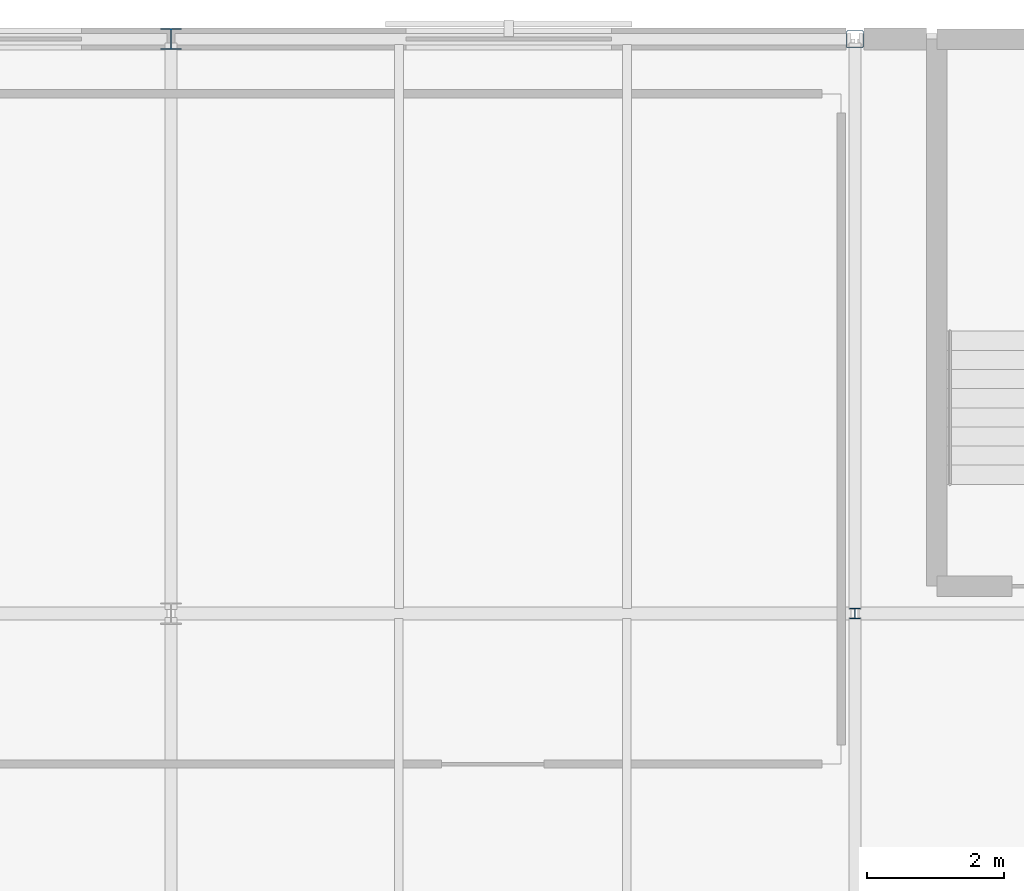
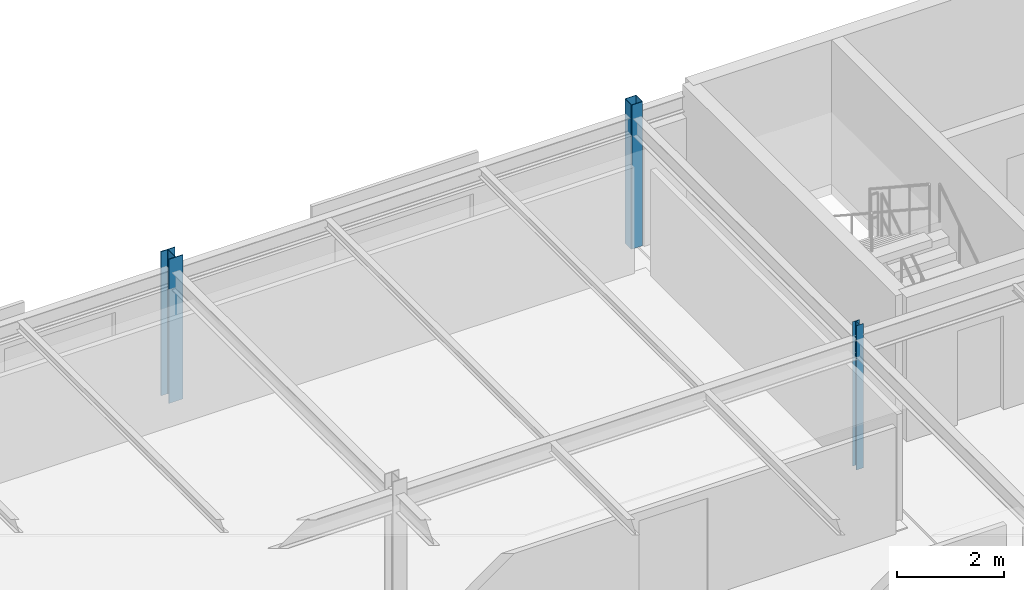
# One storey, part 4 of 23: 3 columns.
"""IFC4 building model written with IfcOpenShell, lengths in metres."""

from ifc_helpers import new_model, si_unit, derived_unit, direction, frame, origin, origin_2d_with_axis, place, context, subcontext, project, spatial, hollow_rectangle, i_section, extrude, material, material_profile, profile_set, type_object, element, save


model = new_model("IFC4")

# Units and contexts
model_context = context("Model", 3, precision=1e-05, world=origin(), true_north=direction((0.0, 1.0)))
body_context = subcontext(model_context, "Body", "Model", "MODEL_VIEW")
ifc_project = project(units=[si_unit("LENGTHUNIT", "METRE"), si_unit("AREAUNIT", "SQUARE_METRE"), si_unit("VOLUMEUNIT", "CUBIC_METRE"), si_unit("PLANEANGLEUNIT", "RADIAN"), si_unit("MASSUNIT", "GRAM", prefix="KILO"), derived_unit("THERMALTRANSMITTANCEUNIT", [(si_unit("POWERUNIT", "WATT"), 1), (si_unit("LENGTHUNIT", "METRE"), -2), (si_unit("THERMODYNAMICTEMPERATUREUNIT", "KELVIN"), -1)])], contexts=[model_context])

# Site, building, storey
site_placement = place(None, origin())
site = spatial("IfcSite", under=ifc_project, at=site_placement, CompositionType="ELEMENT")
building_placement = place(site_placement, origin())
building = spatial("IfcBuilding", under=site, at=building_placement, Name="Cinnabar Yard Market Hall", CompositionType="ELEMENT")
storey_placement = place(building_placement, frame((0.0, 0.0, 12.0)))
storey = spatial("IfcBuildingStorey", under=building, at=storey_placement, Name="L03", CompositionType="ELEMENT", Elevation=12.0)

# Columns
ifc_material_1 = material(Name="Steel Grade 300 (300 MPa)", Category="steel")
ifc_material_profile_1 = material_profile(ifc_material_1, i_section(OverallWidth=0.304931640625, OverallDepth=0.30810546875, WebThickness=0.010009765625, FlangeThickness=0.015380859375, FilletRadius=0.0166015625, at=origin_2d_with_axis()), Name="310UC96.8")
ifc_profile_set_1 = profile_set([ifc_material_profile_1], Name="Steel Grade 300 (300 MPa)")
column_type_1 = type_object("IfcColumnType", Name="COL-C09E", PredefinedType="COLUMN", material=ifc_profile_set_1)
column_1_placement = place(storey_placement, frame((86.0, 138.0, 0.0), z_axis=(0.0, 0.0, 1.0), x_axis=(1.0, 0.0, 0.0)))
element("IfcColumn", 1, at=column_1_placement, inside=storey, type_object=column_type_1, Name="Wing Column V3-03-05 L03", PredefinedType="COLUMN", context=body_context, shape_type="SweptSolid", body=[
    extrude(i_section(OverallWidth=0.304931640625, OverallDepth=0.30810546875, WebThickness=0.010009765625, FlangeThickness=0.015380859375, FilletRadius=0.0166015625, at=origin_2d_with_axis()), origin(), (0.0, 0.0, 1.0), 3.300048828125),
])
ifc_material_profile_2 = material_profile(ifc_material_1, i_section(OverallWidth=0.152099609375, OverallDepth=0.15234375, WebThickness=0.005859375, FlangeThickness=0.0068359375, FilletRadius=0.0087890625, at=origin_2d_with_axis()), Name="150UC23.4")
ifc_profile_set_2 = profile_set([ifc_material_profile_2], Name="Steel Grade 300 (300 MPa)")
column_type_2 = type_object("IfcColumnType", Name="COL-C19", PredefinedType="COLUMN", material=ifc_profile_set_2)
column_2_placement = place(storey_placement, frame((96.0, 129.60009765625, 0.0), z_axis=(0.0, 0.0, 1.0), x_axis=(1.0, 0.0, 0.0)))
element("IfcColumn", 2, at=column_2_placement, inside=storey, type_object=column_type_2, Name="Wing Column V3-04-04 L03", PredefinedType="COLUMN", context=body_context, shape_type="SweptSolid", body=[
    extrude(i_section(OverallWidth=0.152099609375, OverallDepth=0.15234375, WebThickness=0.005859375, FlangeThickness=0.0068359375, FilletRadius=0.0087890625, at=origin_2d_with_axis()), origin(), (0.0, 0.0, 1.0), 3.300048828125),
])
ifc_material_2 = material(Name="Cold-formed steel C350L0", Category="steel")
ifc_material_profile_3 = material_profile(ifc_material_2, hollow_rectangle(XDim=0.25, YDim=0.25, WallThickness=0.009033203125, InnerFilletRadius=0.009033203125, OuterFilletRadius=0.01806640625, at=origin_2d_with_axis()), Name="250x250x9.0SHS")
ifc_profile_set_3 = profile_set([ifc_material_profile_3], Name="Cold-formed steel C350L0")
column_type_3 = type_object("IfcColumnType", Name="COL-C20E", PredefinedType="COLUMN", material=ifc_profile_set_3)
column_3_placement = place(storey_placement, frame((96.0, 138.0, 0.0), z_axis=(0.0, 0.0, 1.0), x_axis=(1.0, 0.0, 0.0)))
element("IfcColumn", 3, at=column_3_placement, inside=storey, type_object=column_type_3, Name="Wing Column V3-04-05 L03", PredefinedType="COLUMN", context=body_context, shape_type="SweptSolid", body=[
    extrude(hollow_rectangle(XDim=0.25, YDim=0.25, WallThickness=0.009033203125, InnerFilletRadius=0.009033203125, OuterFilletRadius=0.01806640625, at=origin_2d_with_axis()), origin(), (0.0, 0.0, 1.0), 3.300048828125),
])

save(model, "model.ifc")
